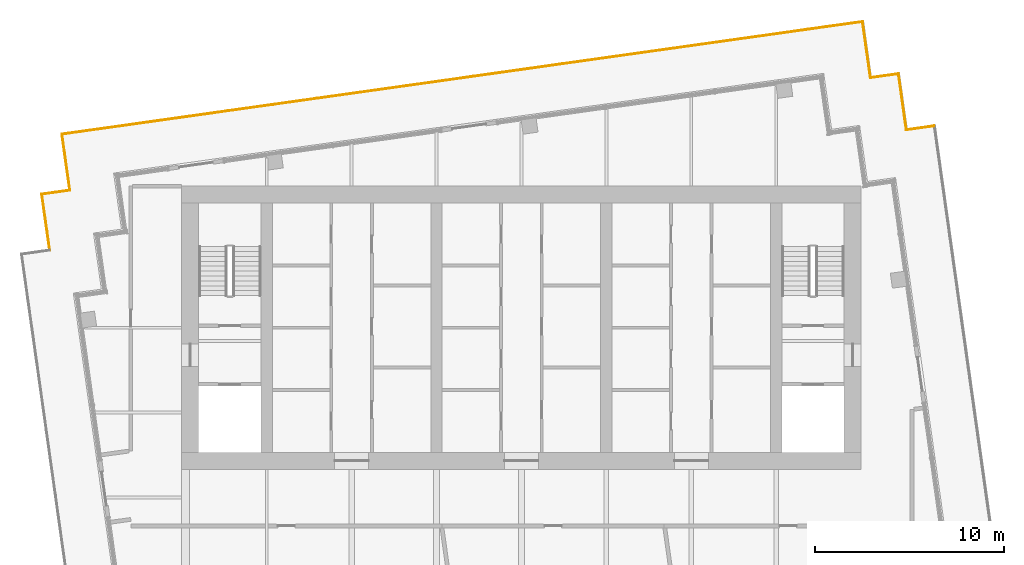
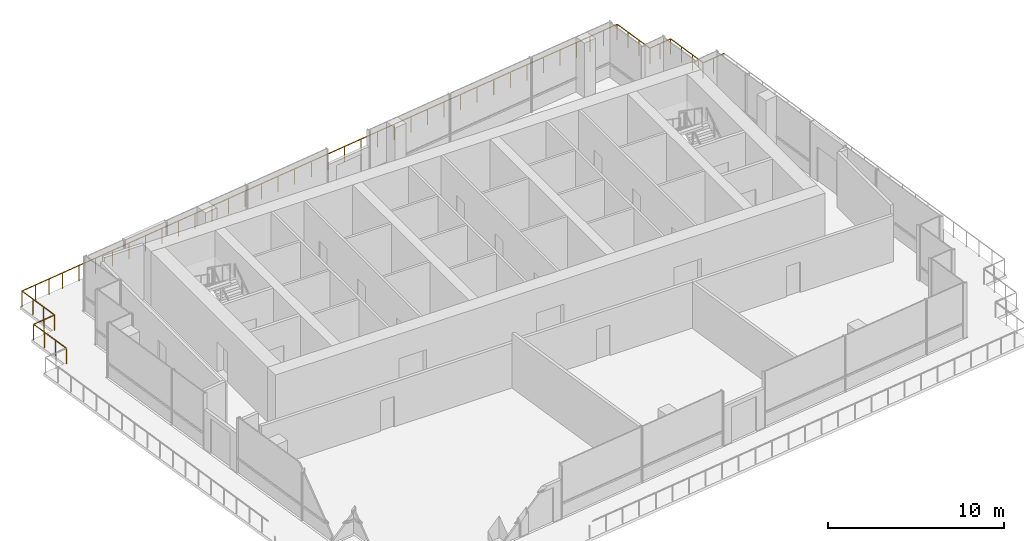
# One storey, part 12 of 12: 8 railings.
"""IFC4 building model written with IfcOpenShell, lengths in metres."""

import ifcopenshell
import ifcopenshell.guid

model = None  # the IFC model being written
_history = None  # IfcOwnerHistory: only IFC2X3 demands one
_inside = {}  # id of a spatial element -> (the spatial element, [elements in it])
_under = {}  # id of a project, library or spatial element -> (it, [spatial elements below it])
_declared = {}  # id of a project -> (the project, [libraries it declares])
_typed = {}  # id of a type object -> (the type object, [elements of that type])
_made_of = {}  # id of a material, layer set ... -> (it, [elements and type objects made of it])


def new_model(schema):
    """Start an empty IFC model of exactly this schema.

    Asked for "IFC4X3", IfcOpenShell would pick the latest addendum, in which some entities
    have other attributes; the version numbers below select the first issue.
    IFC2X3 requires an IfcOwnerHistory on every rooted entity: one is made here for all.
    """
    global model, _history
    if schema == "IFC4X3":
        model = ifcopenshell.file(schema_version=(4, 3, 0, 0))
    else:
        model = ifcopenshell.file(schema=schema)
    _inside.clear()
    _under.clear()
    _declared.clear()
    _typed.clear()
    _made_of.clear()
    _history = None
    if model.schema == "IFC2X3":
        org = make("IfcOrganization", Name="unknown")
        user = make(
            "IfcPersonAndOrganization",
            ThePerson=make("IfcPerson", FamilyName="unknown"),
            TheOrganization=org,
        )
        app = make(
            "IfcApplication",
            ApplicationDeveloper=org,
            Version="unknown",
            ApplicationFullName="unknown",
            ApplicationIdentifier="unknown",
        )
        _history = make(
            "IfcOwnerHistory",
            OwningUser=user,
            OwningApplication=app,
            ChangeAction="ADDED",
            CreationDate=0,
        )
    return model


def make(cls, **values):
    """One entity of the class cls with the attributes given. An attribute that is None is left unset."""
    return model.create_entity(
        cls, **{name: value for name, value in values.items() if value is not None}
    )


def rooted(cls, **values):
    """An entity with a GlobalId (a new one), such as an element, a storey or a relation."""
    return make(cls, GlobalId=ifcopenshell.guid.new(), OwnerHistory=_history, **values)


def si_unit(unit_type, name, prefix=None):
    """IfcSIUnit, for example si_unit("LENGTHUNIT", "METRE", prefix="MILLI")."""
    return make("IfcSIUnit", UnitType=unit_type, Prefix=prefix, Name=name)


def assignment(units):
    """IfcUnitAssignment: the units of a project."""
    return None if units is None else make("IfcUnitAssignment", Units=units)


def point(xyz):
    """IfcCartesianPoint."""
    return None if xyz is None else make("IfcCartesianPoint", Coordinates=xyz)


def direction(xyz):
    """IfcDirection."""
    return None if xyz is None else make("IfcDirection", DirectionRatios=xyz)


def frame(location, z_axis=None, x_axis=None):
    """IfcAxis2Placement3D, a coordinate frame: its origin and axes. An axis left out is left unset."""
    return make(
        "IfcAxis2Placement3D",
        Location=point(location),
        Axis=direction(z_axis),
        RefDirection=direction(x_axis),
    )


def frame_2d(location, x_axis=None):
    """IfcAxis2Placement2D, a coordinate frame in the plane: its origin and x axis."""
    return make(
        "IfcAxis2Placement2D", Location=point(location), RefDirection=direction(x_axis)
    )


def origin():
    """The frame at (0, 0, 0) with its axes left unset."""
    return frame((0.0, 0.0, 0.0))


def origin_2d():
    """The frame at (0, 0) in the plane with its x axis left unset."""
    return frame_2d((0.0, 0.0))


def place(relative_to, where):
    """IfcLocalPlacement: puts the frame where relative to a parent placement (None: the world)."""
    return make(
        "IfcLocalPlacement", PlacementRelTo=relative_to, RelativePlacement=where
    )


def context(
    kind, dimensions, precision=None, world=None, true_north=None, identifier=None
):
    """IfcGeometricRepresentationContext, for example the 3D "Model" context."""
    return make(
        "IfcGeometricRepresentationContext",
        ContextIdentifier=identifier,
        ContextType=kind,
        CoordinateSpaceDimension=dimensions,
        Precision=precision,
        WorldCoordinateSystem=world,
        TrueNorth=true_north,
    )


def subcontext(parent, identifier, kind, view, scale=None):
    """IfcGeometricRepresentationSubContext, for example "Body" below "Model"."""
    return make(
        "IfcGeometricRepresentationSubContext",
        ContextIdentifier=identifier,
        ContextType=kind,
        ParentContext=parent,
        TargetScale=scale,
        TargetView=view,
    )


def project(units=None, contexts=None):
    """IfcProject with its units and contexts."""
    return rooted(
        "IfcProject",
        Name="project",
        RepresentationContexts=contexts,
        UnitsInContext=assignment(units),
    )


def spatial(cls, under=None, at=None, **own):
    """A site, building, storey or space (cls), placed at a placement, below another one or the project."""
    s = rooted(cls, ObjectPlacement=at, **own)
    if under is not None:
        _under.setdefault(under.id(), (under, []))[1].append(s)
    return s


def profile(cls, at=None, kind="AREA", **sizes):
    """A parametric profile (cls). Its sizes go by their IFC names, for example OverallWidth=200.0."""
    return make(cls, ProfileType=kind, Position=at, **sizes)


def rectangle(**sizes):
    """IfcRectangleProfileDef."""
    return profile("IfcRectangleProfileDef", **sizes)


def extrude(swept, where, along, depth):
    """IfcExtrudedAreaSolid: the profile swept, set in the frame where, extruded along a direction by depth."""
    return make(
        "IfcExtrudedAreaSolid",
        SweptArea=swept,
        Position=where,
        ExtrudedDirection=direction(along),
        Depth=depth,
    )


def shape(context_of_items, identifier, shape_type, items):
    """IfcShapeRepresentation: the items that make up one representation, for example the "Body"."""
    return make(
        "IfcShapeRepresentation",
        ContextOfItems=context_of_items,
        RepresentationIdentifier=identifier,
        RepresentationType=shape_type,
        Items=items,
    )


def material(Name=None, Category=None):
    """IfcMaterial."""
    return make("IfcMaterial", Name=Name, Category=Category)


def made_of(thing, what):
    """Note that an element or type object is made of a material, layer set ...; save() writes the relation."""
    if what is not None:
        _made_of.setdefault(what.id(), (what, []))[1].append(thing)
    return thing


def type_object(cls, material=None, **own):
    """A type object (cls), such as IfcWallType, which elements share."""
    return made_of(rooted(cls, **own), material)


def element(
    cls,
    number,
    at=None,
    inside=None,
    cuts=None,
    type_object=None,
    material=None,
    context=None,
    identifier="Body",
    shape_type=None,
    held_by="IfcProductDefinitionShape",
    body=None,
    shapes=None,
    **own,
):
    """One element of the class cls, such as IfcWall. Its Tag is "e" and its number.

    at: its placement. inside: the storey or other place that contains it. cuts: it is an
    opening in that element (IfcRelVoidsElement). A single representation is given by context,
    identifier, shape_type and body (its items); several are given by shapes. held_by: the class
    of the entity that holds the representations. save() writes the other relations.
    """
    e = rooted(cls, Tag="e%d" % number, ObjectPlacement=at, **own)
    if body is not None:
        shapes = [shape(context, identifier, shape_type, body)]
    if shapes is not None:
        e.Representation = make(held_by, Representations=shapes)
    if inside is not None:
        _inside.setdefault(inside.id(), (inside, []))[1].append(e)
    if cuts is not None:
        rooted(
            "IfcRelVoidsElement", RelatingBuildingElement=cuts, RelatedOpeningElement=e
        )
    if type_object is not None:
        _typed.setdefault(type_object.id(), (type_object, []))[1].append(e)
    return made_of(e, material)


def aggregate(whole, parts):
    """IfcRelAggregates: a whole, such as a stair, and the parts it consists of."""
    return rooted("IfcRelAggregates", RelatingObject=whole, RelatedObjects=parts)


def save(model, path):
    """Write the relations noted so far, then the file.

    IfcRelAggregates (storeys below a building ...), IfcRelContainedInSpatialStructure (elements
    in a storey), IfcRelDefinesByType, IfcRelAssociatesMaterial and IfcRelDeclares: one each for
    every whole, place, type object, material and project.
    """
    for whole, parts in _under.values():
        aggregate(whole, parts)
    for where, things in _inside.values():
        rooted(
            "IfcRelContainedInSpatialStructure",
            RelatedElements=things,
            RelatingStructure=where,
        )
    for kind, things in _typed.values():
        rooted("IfcRelDefinesByType", RelatedObjects=things, RelatingType=kind)
    for what, things in _made_of.values():
        rooted("IfcRelAssociatesMaterial", RelatedObjects=things, RelatingMaterial=what)
    for by, libraries in _declared.values():
        rooted("IfcRelDeclares", RelatingContext=by, RelatedDefinitions=libraries)
    model.write(path)


model = new_model("IFC4")

# Units and contexts
model_context = context("Model", 3, precision=1e-05, world=origin(), true_north=direction((0.0, 1.0)))
body_context = subcontext(model_context, "Body", "Model", "MODEL_VIEW")
ifc_project = project(units=[si_unit("LENGTHUNIT", "METRE"), si_unit("AREAUNIT", "SQUARE_METRE"), si_unit("VOLUMEUNIT", "CUBIC_METRE"), si_unit("PLANEANGLEUNIT", "RADIAN"), si_unit("MASSUNIT", "GRAM", prefix="KILO")], contexts=[model_context])

# Site, building, storey
site_placement = place(None, origin())
site = spatial("IfcSite", under=ifc_project, at=site_placement, CompositionType="ELEMENT")
building_placement = place(site_placement, origin())
building = spatial("IfcBuilding", under=site, at=building_placement, Name="Rattan Terrace Tower", CompositionType="ELEMENT")
storey_placement = place(building_placement, frame((0.0, 0.0, 292.300048828125)))
storey = spatial("IfcBuildingStorey", under=building, at=storey_placement, Name="C01", CompositionType="ELEMENT", Elevation=292.300048828125)

# Railings
ifc_material = material(Name="Stainless steel 316", Category="steel")
railing_type = type_object("IfcRailingType", Name="Facade Guard 1100", PredefinedType="GUARDRAIL", material=ifc_material)
railing_1_placement = place(storey_placement, frame((-24.9951171875, 4.10498046875, 0.0)))
element("IfcRailing", 1, at=railing_1_placement, inside=storey, type_object=railing_type, Name="Terrace guard C01-1-8", PredefinedType="GUARDRAIL", context=body_context, shape_type="SweptSolid", body=[
    extrude(rectangle(XDim=0.048095703125, YDim=0.048095703125, at=origin_2d()), frame((0.0, 0.0, 1.076171875), z_axis=(-0.139358350296, 0.990242015975, 0.0), x_axis=(-0.990242015975, -0.139358350296, 0.0)), (0.0, 0.0, 1.0), 2.999267578125),
    extrude(rectangle(XDim=0.0419921875, YDim=0.0419921875, at=origin_2d()), origin(), (0.0, 0.0, 1.0), 1.052001953125),
    extrude(rectangle(XDim=0.0419921875, YDim=0.0419921875, at=origin_2d()), frame((-0.139404296875, 0.989990234375, 0.0)), (0.0, 0.0, 1.0), 1.052001953125),
    extrude(rectangle(XDim=0.0419921875, YDim=0.0419921875, at=origin_2d()), frame((-0.278564453125, 1.97998046875, 0.0)), (0.0, 0.0, 1.0), 1.052001953125),
])
railing_2_placement = place(storey_placement, frame((-25.4130859375, 7.074951171875, 0.0)))
element("IfcRailing", 2, at=railing_2_placement, inside=storey, type_object=railing_type, Name="Terrace guard C01-1-9", PredefinedType="GUARDRAIL", context=body_context, shape_type="SweptSolid", body=[
    extrude(rectangle(XDim=0.048095703125, YDim=0.048095703125, at=origin_2d()), frame((0.0, 0.0, 1.076171875), z_axis=(0.990243596651, 0.13934711799, 0.0), x_axis=(-0.13934711799, 0.990243596651, 0.0)), (0.0, 0.0, 1.0), 1.499755859375),
    extrude(rectangle(XDim=0.0419921875, YDim=0.0419921875, at=origin_2d()), origin(), (0.0, 0.0, 1.0), 1.052001953125),
    extrude(rectangle(XDim=0.0419921875, YDim=0.0419921875, at=origin_2d()), frame((0.74267578125, 0.1044921875, 0.0)), (0.0, 0.0, 1.0), 1.052001953125),
])
railing_3_placement = place(storey_placement, frame((-23.927978515625, 7.283935546875, 0.0)))
element("IfcRailing", 3, at=railing_3_placement, inside=storey, type_object=railing_type, Name="Terrace guard C01-1-10", PredefinedType="GUARDRAIL", context=body_context, shape_type="SweptSolid", body=[
    extrude(rectangle(XDim=0.048095703125, YDim=0.048095703125, at=origin_2d()), frame((0.0, 0.0, 1.076171875), z_axis=(-0.138994228812, 0.990293191109, 0.0), x_axis=(-0.990293191109, -0.138994228812, 0.0)), (0.0, 0.0, 1.0), 3.0),
    extrude(rectangle(XDim=0.0419921875, YDim=0.0419921875, at=origin_2d()), origin(), (0.0, 0.0, 1.0), 1.052001953125),
    extrude(rectangle(XDim=0.0419921875, YDim=0.0419921875, at=origin_2d()), frame((-0.138916015625, 0.990234375, 0.0)), (0.0, 0.0, 1.0), 1.052001953125),
    extrude(rectangle(XDim=0.0419921875, YDim=0.0419921875, at=origin_2d()), frame((-0.278076171875, 1.980712890625, 0.0)), (0.0, 0.0, 1.0), 1.052001953125),
])
railing_4_placement = place(storey_placement, frame((-24.344970703125, 10.2548828125, 0.0)))
element("IfcRailing", 4, at=railing_4_placement, inside=storey, type_object=railing_type, Name="Terrace guard C01-1-11", PredefinedType="GUARDRAIL", context=body_context, shape_type="SweptSolid", body=[
    extrude(rectangle(XDim=0.048095703125, YDim=0.048095703125, at=origin_2d()), frame((0.0, 0.0, 1.076171875), z_axis=(0.990289333727, 0.139021708761, 0.0), x_axis=(-0.139021708761, 0.990289333727, 0.0)), (0.0, 0.0, 1.0), 2.92041015625),
    extrude(rectangle(XDim=0.048095703125, YDim=0.048095703125, at=origin_2d()), frame((2.89208984375, 0.406005859375, 1.076171875), z_axis=(0.99026529207, 0.139192856575, 0.0), x_axis=(-0.139192856575, 0.99026529207, 0.0)), (0.0, 0.0, 1.0), 37.0),
    extrude(rectangle(XDim=0.048095703125, YDim=0.048095703125, at=origin_2d()), frame((39.531982421875, 5.55615234375, 1.076171875), z_axis=(0.990281250303, 0.139079277025, 0.0), x_axis=(-0.139079277025, 0.990281250303, 0.0)), (0.0, 0.0, 1.0), 2.919189453125),
    extrude(rectangle(XDim=0.0419921875, YDim=0.0419921875, at=origin_2d()), origin(), (0.0, 0.0, 1.0), 1.052001953125),
    extrude(rectangle(XDim=0.0419921875, YDim=0.0419921875, at=origin_2d()), frame((0.964111328125, 0.13525390625, 0.0)), (0.0, 0.0, 1.0), 1.052001953125),
    extrude(rectangle(XDim=0.0419921875, YDim=0.0419921875, at=origin_2d()), frame((1.927978515625, 0.270751953125, 0.0)), (0.0, 0.0, 1.0), 1.052001953125),
    extrude(rectangle(XDim=0.0419921875, YDim=0.0419921875, at=origin_2d()), frame((2.89208984375, 0.406005859375, 0.0)), (0.0, 0.0, 1.0), 1.052001953125),
    extrude(rectangle(XDim=0.0419921875, YDim=0.0419921875, at=origin_2d()), frame((4.073974609375, 0.572021484375, 0.0)), (0.0, 0.0, 1.0), 1.052001953125),
    extrude(rectangle(XDim=0.0419921875, YDim=0.0419921875, at=origin_2d()), frame((5.255859375, 0.73828125, 0.0)), (0.0, 0.0, 1.0), 1.052001953125),
    extrude(rectangle(XDim=0.0419921875, YDim=0.0419921875, at=origin_2d()), frame((6.43798828125, 0.904296875, 0.0)), (0.0, 0.0, 1.0), 1.052001953125),
    extrude(rectangle(XDim=0.0419921875, YDim=0.0419921875, at=origin_2d()), frame((7.619873046875, 1.070556640625, 0.0)), (0.0, 0.0, 1.0), 1.052001953125),
    extrude(rectangle(XDim=0.0419921875, YDim=0.0419921875, at=origin_2d()), frame((8.8017578125, 1.236572265625, 0.0)), (0.0, 0.0, 1.0), 1.052001953125),
    extrude(rectangle(XDim=0.0419921875, YDim=0.0419921875, at=origin_2d()), frame((9.983642578125, 1.40283203125, 0.0)), (0.0, 0.0, 1.0), 1.052001953125),
    extrude(rectangle(XDim=0.0419921875, YDim=0.0419921875, at=origin_2d()), frame((11.16552734375, 1.56884765625, 0.0)), (0.0, 0.0, 1.0), 1.052001953125),
    extrude(rectangle(XDim=0.0419921875, YDim=0.0419921875, at=origin_2d()), frame((12.34765625, 1.735107421875, 0.0)), (0.0, 0.0, 1.0), 1.052001953125),
    extrude(rectangle(XDim=0.0419921875, YDim=0.0419921875, at=origin_2d()), frame((13.529541015625, 1.901123046875, 0.0)), (0.0, 0.0, 1.0), 1.052001953125),
    extrude(rectangle(XDim=0.0419921875, YDim=0.0419921875, at=origin_2d()), frame((14.71142578125, 2.0673828125, 0.0)), (0.0, 0.0, 1.0), 1.052001953125),
    extrude(rectangle(XDim=0.0419921875, YDim=0.0419921875, at=origin_2d()), frame((15.893310546875, 2.2333984375, 0.0)), (0.0, 0.0, 1.0), 1.052001953125),
    extrude(rectangle(XDim=0.0419921875, YDim=0.0419921875, at=origin_2d()), frame((17.0751953125, 2.399658203125, 0.0)), (0.0, 0.0, 1.0), 1.052001953125),
    extrude(rectangle(XDim=0.0419921875, YDim=0.0419921875, at=origin_2d()), frame((18.25732421875, 2.565673828125, 0.0)), (0.0, 0.0, 1.0), 1.052001953125),
    extrude(rectangle(XDim=0.0419921875, YDim=0.0419921875, at=origin_2d()), frame((19.439208984375, 2.73193359375, 0.0)), (0.0, 0.0, 1.0), 1.052001953125),
    extrude(rectangle(XDim=0.0419921875, YDim=0.0419921875, at=origin_2d()), frame((20.62109375, 2.89794921875, 0.0)), (0.0, 0.0, 1.0), 1.052001953125),
    extrude(rectangle(XDim=0.0419921875, YDim=0.0419921875, at=origin_2d()), frame((21.802978515625, 3.064208984375, 0.0)), (0.0, 0.0, 1.0), 1.052001953125),
    extrude(rectangle(XDim=0.0419921875, YDim=0.0419921875, at=origin_2d()), frame((22.98486328125, 3.230224609375, 0.0)), (0.0, 0.0, 1.0), 1.052001953125),
    extrude(rectangle(XDim=0.0419921875, YDim=0.0419921875, at=origin_2d()), frame((24.166748046875, 3.396484375, 0.0)), (0.0, 0.0, 1.0), 1.052001953125),
    extrude(rectangle(XDim=0.0419921875, YDim=0.0419921875, at=origin_2d()), frame((25.348876953125, 3.5625, 0.0)), (0.0, 0.0, 1.0), 1.052001953125),
    extrude(rectangle(XDim=0.0419921875, YDim=0.0419921875, at=origin_2d()), frame((26.53076171875, 3.728759765625, 0.0)), (0.0, 0.0, 1.0), 1.052001953125),
    extrude(rectangle(XDim=0.0419921875, YDim=0.0419921875, at=origin_2d()), frame((27.712646484375, 3.894775390625, 0.0)), (0.0, 0.0, 1.0), 1.052001953125),
    extrude(rectangle(XDim=0.0419921875, YDim=0.0419921875, at=origin_2d()), frame((28.89453125, 4.06103515625, 0.0)), (0.0, 0.0, 1.0), 1.052001953125),
    extrude(rectangle(XDim=0.0419921875, YDim=0.0419921875, at=origin_2d()), frame((30.076416015625, 4.22705078125, 0.0)), (0.0, 0.0, 1.0), 1.052001953125),
    extrude(rectangle(XDim=0.0419921875, YDim=0.0419921875, at=origin_2d()), frame((31.258544921875, 4.393310546875, 0.0)), (0.0, 0.0, 1.0), 1.052001953125),
    extrude(rectangle(XDim=0.0419921875, YDim=0.0419921875, at=origin_2d()), frame((32.4404296875, 4.559326171875, 0.0)), (0.0, 0.0, 1.0), 1.052001953125),
    extrude(rectangle(XDim=0.0419921875, YDim=0.0419921875, at=origin_2d()), frame((33.622314453125, 4.7255859375, 0.0)), (0.0, 0.0, 1.0), 1.052001953125),
    extrude(rectangle(XDim=0.0419921875, YDim=0.0419921875, at=origin_2d()), frame((34.80419921875, 4.8916015625, 0.0)), (0.0, 0.0, 1.0), 1.052001953125),
    extrude(rectangle(XDim=0.0419921875, YDim=0.0419921875, at=origin_2d()), frame((35.986083984375, 5.057861328125, 0.0)), (0.0, 0.0, 1.0), 1.052001953125),
    extrude(rectangle(XDim=0.0419921875, YDim=0.0419921875, at=origin_2d()), frame((37.168212890625, 5.223876953125, 0.0)), (0.0, 0.0, 1.0), 1.052001953125),
    extrude(rectangle(XDim=0.0419921875, YDim=0.0419921875, at=origin_2d()), frame((38.35009765625, 5.39013671875, 0.0)), (0.0, 0.0, 1.0), 1.052001953125),
    extrude(rectangle(XDim=0.0419921875, YDim=0.0419921875, at=origin_2d()), frame((39.531982421875, 5.55615234375, 0.0)), (0.0, 0.0, 1.0), 1.052001953125),
    extrude(rectangle(XDim=0.0419921875, YDim=0.0419921875, at=origin_2d()), frame((40.49560546875, 5.69140625, 0.0)), (0.0, 0.0, 1.0), 1.052001953125),
    extrude(rectangle(XDim=0.0419921875, YDim=0.0419921875, at=origin_2d()), frame((41.459228515625, 5.826904296875, 0.0)), (0.0, 0.0, 1.0), 1.052001953125),
])
railing_5_placement = place(storey_placement, frame((18.077880859375, 16.217041015625, 0.0)))
element("IfcRailing", 5, at=railing_5_placement, inside=storey, type_object=railing_type, Name="Terrace guard C01-1-12", PredefinedType="GUARDRAIL", context=body_context, shape_type="SweptSolid", body=[
    extrude(rectangle(XDim=0.048095703125, YDim=0.048095703125, at=origin_2d()), frame((0.0, 0.0, 1.076171875), z_axis=(0.139438168976, -0.990230779683, 0.0), x_axis=(0.990230779683, 0.139438168976, 0.0)), (0.0, 0.0, 1.0), 2.999267578125),
    extrude(rectangle(XDim=0.0419921875, YDim=0.0419921875, at=origin_2d()), origin(), (0.0, 0.0, 1.0), 1.052001953125),
    extrude(rectangle(XDim=0.0419921875, YDim=0.0419921875, at=origin_2d()), frame((0.139404296875, -0.989990234375, 0.0)), (0.0, 0.0, 1.0), 1.052001953125),
    extrude(rectangle(XDim=0.0419921875, YDim=0.0419921875, at=origin_2d()), frame((0.27880859375, -1.97998046875, 0.0)), (0.0, 0.0, 1.0), 1.052001953125),
])
railing_6_placement = place(storey_placement, frame((18.49609375, 13.2470703125, 0.0)))
element("IfcRailing", 6, at=railing_6_placement, inside=storey, type_object=railing_type, Name="Terrace guard C01-1-13", PredefinedType="GUARDRAIL", context=body_context, shape_type="SweptSolid", body=[
    extrude(rectangle(XDim=0.048095703125, YDim=0.048095703125, at=origin_2d()), frame((0.0, 0.0, 1.076171875), z_axis=(0.990330117064, 0.138730887823, 0.0), x_axis=(-0.138730887823, 0.990330117064, 0.0)), (0.0, 0.0, 1.0), 1.499267578125),
    extrude(rectangle(XDim=0.0419921875, YDim=0.0419921875, at=origin_2d()), origin(), (0.0, 0.0, 1.0), 1.052001953125),
    extrude(rectangle(XDim=0.0419921875, YDim=0.0419921875, at=origin_2d()), frame((0.742431640625, 0.10400390625, 0.0)), (0.0, 0.0, 1.0), 1.052001953125),
])
railing_7_placement = place(storey_placement, frame((19.98095703125, 13.455078125, 0.0)))
element("IfcRailing", 7, at=railing_7_placement, inside=storey, type_object=railing_type, Name="Terrace guard C01-1-14", PredefinedType="GUARDRAIL", context=body_context, shape_type="SweptSolid", body=[
    extrude(rectangle(XDim=0.048095703125, YDim=0.048095703125, at=origin_2d()), frame((0.0, 0.0, 1.076171875), z_axis=(0.139302206688, -0.990249915532, 0.0), x_axis=(0.990249915532, 0.139302206688, 0.0)), (0.0, 0.0, 1.0), 3.00048828125),
    extrude(rectangle(XDim=0.0419921875, YDim=0.0419921875, at=origin_2d()), origin(), (0.0, 0.0, 1.0), 1.052001953125),
    extrude(rectangle(XDim=0.0419921875, YDim=0.0419921875, at=origin_2d()), frame((0.139404296875, -0.990478515625, 0.0)), (0.0, 0.0, 1.0), 1.052001953125),
    extrude(rectangle(XDim=0.0419921875, YDim=0.0419921875, at=origin_2d()), frame((0.278564453125, -1.980712890625, 0.0)), (0.0, 0.0, 1.0), 1.052001953125),
])
railing_8_placement = place(storey_placement, frame((20.39892578125, 10.48388671875, 0.0)))
element("IfcRailing", 8, at=railing_8_placement, inside=storey, type_object=railing_type, Name="Terrace guard C01-1-15", PredefinedType="GUARDRAIL", context=body_context, shape_type="SweptSolid", body=[
    extrude(rectangle(XDim=0.048095703125, YDim=0.048095703125, at=origin_2d()), frame((0.0, 0.0, 1.076171875), z_axis=(0.990221121476, 0.139506740277, 0.0), x_axis=(-0.139506740277, 0.990221121476, 0.0)), (0.0, 0.0, 1.0), 1.499755859375),
    extrude(rectangle(XDim=0.0419921875, YDim=0.0419921875, at=origin_2d()), origin(), (0.0, 0.0, 1.0), 1.052001953125),
    extrude(rectangle(XDim=0.0419921875, YDim=0.0419921875, at=origin_2d()), frame((0.74267578125, 0.1044921875, 0.0)), (0.0, 0.0, 1.0), 1.052001953125),
])

save(model, "model.ifc")
